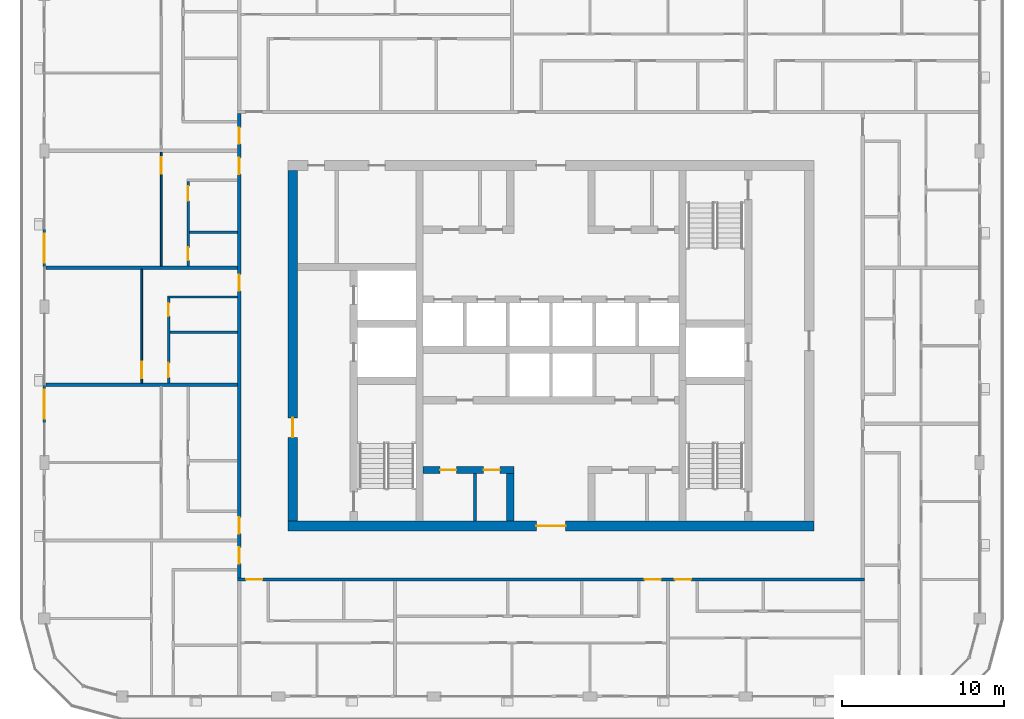
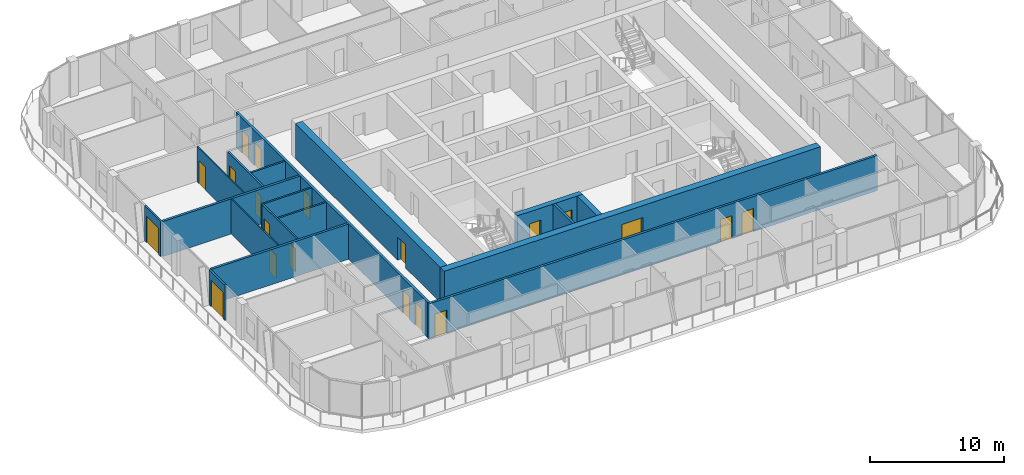
# One storey, part 10 of 22: 20 doors, 18 walls, 20 openings.
"""IFC4 building model written with IfcOpenShell, lengths in metres."""

from ifc_helpers import new_model, si_unit, direction, frame, frame_2d, origin, place, context, subcontext, project, spatial, rectangle, extrude, material, layer, layer_set, type_object, element, fill, save


model = new_model("IFC4")

# Units and contexts
model_context = context("Model", 3, precision=1e-05, world=origin(), true_north=direction((0.0, 1.0)))
body_context = subcontext(model_context, "Body", "Model", "MODEL_VIEW")
ifc_project = project(units=[si_unit("LENGTHUNIT", "METRE"), si_unit("AREAUNIT", "SQUARE_METRE"), si_unit("VOLUMEUNIT", "CUBIC_METRE"), si_unit("PLANEANGLEUNIT", "RADIAN"), si_unit("MASSUNIT", "GRAM", prefix="KILO")], contexts=[model_context])

# Site, building, storey
site_placement = place(None, origin())
site = spatial("IfcSite", under=ifc_project, at=site_placement, CompositionType="ELEMENT")
building_placement = place(site_placement, origin())
building = spatial("IfcBuilding", under=site, at=building_placement, Name="Madar Terraces", CompositionType="ELEMENT")
storey_placement = place(building_placement, frame((0.0, 0.0, 249.199951171875)))
storey = spatial("IfcBuildingStorey", under=building, at=storey_placement, Name="L65", CompositionType="ELEMENT", Elevation=249.199951171875)

# Wall, openings, doors
ifc_material_1 = material(Name="Concrete C55/67", Category="concrete")
ifc_layer_1 = layer(ifc_material_1, 0.449951171875)
ifc_layer_set_1 = layer_set([ifc_layer_1], Name="Concrete C55/67 (CIW5 RC wall 450)")
wall_type_1 = type_object("IfcWallType", Name="CIW5 RC wall 450", PredefinedType="SHEAR", material=ifc_layer_set_1)
wall_1_placement = place(storey_placement, frame((23.324951171875, 18.75, 0.0), z_axis=(0.0, 0.0, 1.0), x_axis=(1.0, 0.0, 0.0)))
wall_1 = element("IfcWall", 1, at=wall_1_placement, inside=storey, type_object=wall_type_1, Name="CORE SHAFT WALL", PredefinedType="SHEAR", context=body_context, shape_type="SweptSolid", body=[
    extrude(rectangle(XDim=5.60009765625, YDim=0.449951171875, at=frame_2d((2.800048828125, 0.0))), origin(), (0.0, 0.0, 1.0), 3.199951171875),
])
opening_1_placement = place(wall_1_placement, frame((1.04638671875, 0.0, 0.0)))
opening_1 = element("IfcOpeningElement", 2, at=opening_1_placement, cuts=wall_1, Name="Opening KD2", PredefinedType="OPENING", context=body_context, shape_type="SweptSolid", body=[
    extrude(rectangle(XDim=1.0, YDim=2.10009765625, at=frame_2d((0.5, 1.050048828125))), frame((0.0, 0.23486328125, 0.0), z_axis=(0.0, -1.0, 0.0), x_axis=(1.0, 0.0, 0.0)), (0.0, 0.0, 1.0), 0.469970703125),
])
opening_2_placement = place(wall_1_placement, frame((3.721435546875, 0.0, 0.0)))
opening_2 = element("IfcOpeningElement", 3, at=opening_2_placement, cuts=wall_1, Name="Opening KD2", PredefinedType="OPENING", context=body_context, shape_type="SweptSolid", body=[
    extrude(rectangle(XDim=1.0, YDim=2.10009765625, at=frame_2d((0.5, 1.050048828125))), frame((0.0, 0.23486328125, 0.0), z_axis=(0.0, -1.0, 0.0), x_axis=(1.0, 0.0, 0.0)), (0.0, 0.0, 1.0), 0.469970703125),
])
ifc_material_2 = material(Name="Steel door leaf", Category="steel")
door_type_1 = type_object("IfcDoorType", Name="Service room door 1000 x 2100", OperationType="NOTDEFINED", PredefinedType="DOOR", material=ifc_material_2)
door_1_placement = place(opening_1_placement, origin())
door_1 = element("IfcDoor", 4, at=door_1_placement, inside=storey, type_object=door_type_1, Name="SERVICE ROOM DOOR", OperationType="SINGLE_SWING_LEFT", OverallHeight=2.10009765625, OverallWidth=1.0, PredefinedType="DOOR", context=body_context, shape_type="SweptSolid", body=[
    extrude(rectangle(XDim=1.0, YDim=2.10009765625, at=frame_2d((0.5, 1.050048828125))), frame((0.0, 0.02490234375, 0.0), z_axis=(0.0, -1.0, 0.0), x_axis=(1.0, 0.0, 0.0)), (0.0, 0.0, 1.0), 0.050048828125),
])
fill(opening_1, door_1)
door_2_placement = place(opening_2_placement, origin())
door_2 = element("IfcDoor", 5, at=door_2_placement, inside=storey, type_object=door_type_1, Name="SERVICE ROOM DOOR", OperationType="SINGLE_SWING_RIGHT", OverallHeight=2.10009765625, OverallWidth=1.0, PredefinedType="DOOR", context=body_context, shape_type="SweptSolid", body=[
    extrude(rectangle(XDim=1.0, YDim=2.10009765625, at=frame_2d((0.5, 1.050048828125))), frame((0.0, 0.02490234375, 0.0), z_axis=(0.0, -1.0, 0.0), x_axis=(1.0, 0.0, 0.0)), (0.0, 0.0, 1.0), 0.050048828125),
])
fill(opening_2, door_2)

# Wall
wall_2_placement = place(storey_placement, frame((28.699951171875, 15.60009765625, 0.0), z_axis=(0.0, 0.0, 1.0), x_axis=(0.0, 1.0, 0.0)))
element("IfcWall", 6, at=wall_2_placement, inside=storey, type_object=wall_type_1, Name="CORE SHAFT WALL", PredefinedType="SHEAR", context=body_context, shape_type="SweptSolid", body=[
    extrude(rectangle(XDim=2.9248046875, YDim=0.449951171875, at=frame_2d((1.46240234375, 0.0))), origin(), (0.0, 0.0, 1.0), 3.199951171875),
])

# Wall, opening, door
ifc_material_3 = material(Name="Concrete C55/67", Category="concrete")
ifc_layer_2 = layer(ifc_material_3, 0.60009765625)
ifc_layer_set_2 = layer_set([ifc_layer_2], Name="Concrete C55/67 (CRW5 RC wall 600)")
wall_type_2 = type_object("IfcWallType", Name="CRW5 RC wall 600", PredefinedType="SHEAR", material=ifc_layer_set_2)
wall_3_placement = place(storey_placement, frame((15.0, 15.300048828125, 0.0), z_axis=(0.0, 0.0, 1.0), x_axis=(1.0, 0.0, 0.0)))
wall_3 = element("IfcWall", 7, at=wall_3_placement, inside=storey, type_object=wall_type_2, Name="CORE OUTER WALL", PredefinedType="SHEAR", context=body_context, shape_type="SweptSolid", body=[
    extrude(rectangle(XDim=32.39990234375, YDim=0.60009765625, at=frame_2d((16.199951171875, 0.0))), origin(), (0.0, 0.0, 1.0), 3.199951171875),
])
opening_3_placement = place(wall_3_placement, frame((15.300048828125, 0.0, 0.0)))
opening_3 = element("IfcOpeningElement", 8, at=opening_3_placement, cuts=wall_3, Name="Opening KD1", PredefinedType="OPENING", context=body_context, shape_type="SweptSolid", body=[
    extrude(rectangle(XDim=1.800048828125, YDim=2.10009765625, at=frame_2d((0.89990234375, 1.050048828125))), frame((0.0, 0.31005859375, 0.0), z_axis=(0.0, -1.0, 0.0), x_axis=(1.0, 0.0, 0.0)), (0.0, 0.0, 1.0), 0.6201171875),
])
ifc_material_4 = material(Name="Steel door leaf", Category="steel")
door_type_2 = type_object("IfcDoorType", Name="Lobby door pair 1800 x 2100", OperationType="DOUBLE_DOOR_SINGLE_SWING", PredefinedType="DOOR", material=ifc_material_4)
door_3_placement = place(opening_3_placement, frame((1.800048828125, 0.0, 0.0), z_axis=(0.0, 0.0, 1.0), x_axis=(-1.0, 0.0, 0.0)))
door_3 = element("IfcDoor", 9, at=door_3_placement, inside=storey, type_object=door_type_2, Name="LIFT LOBBY DOOR", OperationType="DOUBLE_DOOR_SINGLE_SWING", OverallHeight=2.10009765625, OverallWidth=1.800048828125, PredefinedType="DOOR", context=body_context, shape_type="SweptSolid", body=[
    extrude(rectangle(XDim=1.800048828125, YDim=2.10009765625, at=frame_2d((0.89990234375, 1.050048828125))), frame((0.0, 0.02490234375, 0.0), z_axis=(0.0, -1.0, 0.0), x_axis=(1.0, 0.0, 0.0)), (0.0, 0.0, 1.0), 0.050048828125),
])
fill(opening_3, door_3)

wall_4_placement = place(storey_placement, frame((15.300048828125, 15.60009765625, 0.0), z_axis=(0.0, 0.0, 1.0), x_axis=(0.0, 1.0, 0.0)))
wall_4 = element("IfcWall", 10, at=wall_4_placement, inside=storey, type_object=wall_type_2, Name="CORE OUTER WALL", PredefinedType="SHEAR", context=body_context, shape_type="SweptSolid", body=[
    extrude(rectangle(XDim=21.599853515625, YDim=0.60009765625, at=frame_2d((10.7998046875, 0.0))), origin(), (0.0, 0.0, 1.0), 3.199951171875),
])
opening_4_placement = place(wall_4_placement, frame((5.159912109375, 0.0, 0.0)))
opening_4 = element("IfcOpeningElement", 11, at=opening_4_placement, cuts=wall_4, Name="Opening SD1", PredefinedType="OPENING", context=body_context, shape_type="SweptSolid", body=[
    extrude(rectangle(XDim=1.199951171875, YDim=2.10009765625, at=frame_2d((0.60009765625, 1.050048828125))), frame((0.0, 0.31005859375, 0.0), z_axis=(0.0, -1.0, 0.0), x_axis=(1.0, 0.0, 0.0)), (0.0, 0.0, 1.0), 0.6201171875),
])
ifc_material_5 = material(Name="Steel door leaf", Category="steel")
door_type_3 = type_object("IfcDoorType", Name="Stair door 1200 x 2100", OperationType="NOTDEFINED", PredefinedType="DOOR", material=ifc_material_5)
door_4_placement = place(opening_4_placement, frame((1.199951171875, 0.0, 0.0), z_axis=(0.0, 0.0, 1.0), x_axis=(-1.0, 0.0, 0.0)))
door_4 = element("IfcDoor", 12, at=door_4_placement, inside=storey, type_object=door_type_3, Name="STAIR DOOR", OperationType="SINGLE_SWING_RIGHT", OverallHeight=2.10009765625, OverallWidth=1.199951171875, PredefinedType="DOOR", context=body_context, shape_type="SweptSolid", body=[
    extrude(rectangle(XDim=1.199951171875, YDim=2.10009765625, at=frame_2d((0.60009765625, 1.050048828125))), frame((0.0, 0.02490234375, 0.0), z_axis=(0.0, -1.0, 0.0), x_axis=(1.0, 0.0, 0.0)), (0.0, 0.0, 1.0), 0.050048828125),
])
fill(opening_4, door_4)

# Wall
ifc_material_6 = material(Name="Masonry blockwork", Category="masonry")
ifc_layer_3 = layer(ifc_material_6, 0.199951171875)
ifc_layer_set_3 = layer_set([ifc_layer_3], Name="Core partition 200 blockwork")
wall_type_3 = type_object("IfcWallType", Name="Core partition 200 blockwork", PredefinedType="PARTITIONING", material=ifc_layer_set_3)
wall_5_placement = place(storey_placement, frame((26.51806640625, 15.60009765625, 0.0), z_axis=(0.0, 0.0, 1.0), x_axis=(0.0, 1.0, 0.0)))
element("IfcWall", 13, at=wall_5_placement, inside=storey, type_object=wall_type_3, Name="SERVICE ROOM PARTITION", PredefinedType="PARTITIONING", context=body_context, shape_type="SweptSolid", body=[
    extrude(rectangle(XDim=2.9248046875, YDim=0.199951171875, at=frame_2d((1.46240234375, 0.0))), origin(), (0.0, 0.0, 1.0), 3.199951171875),
])

# Wall, opening, door
ifc_material_7 = material(Name="Aluminium composite panel, black, over insulated backing", Category="aluminium")
ifc_layer_4 = layer(ifc_material_7, 0.14990234375)
ifc_layer_set_4 = layer_set([ifc_layer_4], Name="Facade bay panel 150")
wall_type_4 = type_object("IfcWallType", Name="Facade bay panel 150", PredefinedType="SOLIDWALL", material=ifc_layer_set_4)
wall_6_placement = place(storey_placement, frame((0.0, 33.60009765625, 0.0), z_axis=(0.0, 0.0, 1.0), x_axis=(0.0, -1.0, 0.0)))
wall_6 = element("IfcWall", 14, at=wall_6_placement, inside=storey, type_object=wall_type_4, Name="Facade bay panel", PredefinedType="SOLIDWALL", context=body_context, shape_type="SweptSolid", body=[
    extrude(rectangle(XDim=2.400146484375, YDim=0.14990234375, at=frame_2d((1.2001953125, 0.0))), origin(), (0.0, 0.0, 1.0), 3.199951171875),
])
opening_5_placement = place(wall_6_placement, frame((0.300048828125, 0.0, 0.0)))
opening_5 = element("IfcOpeningElement", 15, at=opening_5_placement, cuts=wall_6, Name="Opening ED1", PredefinedType="OPENING", context=body_context, shape_type="SweptSolid", body=[
    extrude(rectangle(XDim=1.800048828125, YDim=2.39990234375, at=frame_2d((0.89990234375, 1.199951171875))), frame((0.0, 0.0849609375, 0.0), z_axis=(0.0, -1.0, 0.0), x_axis=(1.0, 0.0, 0.0)), (0.0, 0.0, 1.0), 0.169921875),
])
ifc_material_8 = material(Name="Glass, clear, with black aluminium frame", Category="aluminium")
door_type_4 = type_object("IfcDoorType", Name="Balcony and terrace sliding door 1800 x 2400", OperationType="SLIDING_TO_LEFT", PredefinedType="DOOR", material=ifc_material_8)
door_5_placement = place(opening_5_placement, origin())
door_5 = element("IfcDoor", 16, at=door_5_placement, inside=storey, type_object=door_type_4, Name="Balcony door", OperationType="SLIDING_TO_RIGHT", OverallHeight=2.39990234375, OverallWidth=1.800048828125, PredefinedType="DOOR", context=body_context, shape_type="SweptSolid", body=[
    extrude(rectangle(XDim=1.800048828125, YDim=2.39990234375, at=frame_2d((0.89990234375, 1.199951171875))), frame((0.0, 0.02490234375, 0.0), z_axis=(0.0, -1.0, 0.0), x_axis=(1.0, 0.0, 0.0)), (0.0, 0.0, 1.0), 0.050048828125),
])
fill(opening_5, door_5)

wall_7_placement = place(storey_placement, frame((0.0, 24.0, 0.0), z_axis=(0.0, 0.0, 1.0), x_axis=(0.0, -1.0, 0.0)))
wall_7 = element("IfcWall", 17, at=wall_7_placement, inside=storey, type_object=wall_type_4, Name="Facade bay panel", PredefinedType="SOLIDWALL", context=body_context, shape_type="SweptSolid", body=[
    extrude(rectangle(XDim=2.39990234375, YDim=0.14990234375, at=frame_2d((1.199951171875, 0.0))), origin(), (0.0, 0.0, 1.0), 3.199951171875),
])
opening_6_placement = place(wall_7_placement, frame((0.300048828125, 0.0, 0.0)))
opening_6 = element("IfcOpeningElement", 18, at=opening_6_placement, cuts=wall_7, Name="Opening ED1", PredefinedType="OPENING", context=body_context, shape_type="SweptSolid", body=[
    extrude(rectangle(XDim=1.800048828125, YDim=2.39990234375, at=frame_2d((0.89990234375, 1.199951171875))), frame((0.0, 0.0849609375, 0.0), z_axis=(0.0, -1.0, 0.0), x_axis=(1.0, 0.0, 0.0)), (0.0, 0.0, 1.0), 0.169921875),
])
door_6_placement = place(opening_6_placement, origin())
door_6 = element("IfcDoor", 19, at=door_6_placement, inside=storey, type_object=door_type_4, Name="Balcony door", OperationType="SLIDING_TO_LEFT", OverallHeight=2.39990234375, OverallWidth=1.800048828125, PredefinedType="DOOR", context=body_context, shape_type="SweptSolid", body=[
    extrude(rectangle(XDim=1.800048828125, YDim=2.39990234375, at=frame_2d((0.89990234375, 1.199951171875))), frame((0.0, 0.02490234375, 0.0), z_axis=(0.0, -1.0, 0.0), x_axis=(1.0, 0.0, 0.0)), (0.0, 0.0, 1.0), 0.050048828125),
])
fill(opening_6, door_6)

ifc_material_9 = material(Name="Gypsum board on steel studs", Category="steel")
ifc_layer_5 = layer(ifc_material_9, 0.10009765625)
ifc_layer_set_5 = layer_set([ifc_layer_5], Name="Flat partition 100")
wall_type_5 = type_object("IfcWallType", Name="Flat partition 100", PredefinedType="PARTITIONING", material=ifc_layer_set_5)
wall_8_placement = place(storey_placement, frame((7.199951171875, 31.300048828125, 0.0), z_axis=(0.0, 0.0, 1.0), x_axis=(0.0, 1.0, 0.0)))
wall_8 = element("IfcWall", 20, at=wall_8_placement, inside=storey, type_object=wall_type_5, Name="Flat partition 100", PredefinedType="PARTITIONING", context=body_context, shape_type="SweptSolid", body=[
    extrude(rectangle(XDim=7.0, YDim=0.10009765625, at=frame_2d((3.5, 0.0))), origin(), (0.0, 0.0, 1.0), 3.199951171875),
])
opening_7_placement = place(wall_8_placement, frame((5.699951171875, 0.0, 0.0)))
opening_7 = element("IfcOpeningElement", 21, at=opening_7_placement, cuts=wall_8, Name="Opening D3", PredefinedType="OPENING", context=body_context, shape_type="SweptSolid", body=[
    extrude(rectangle(XDim=1.0, YDim=2.10009765625, at=frame_2d((0.5, 1.050048828125))), frame((0.0, 0.06005859375, 0.0), z_axis=(0.0, -1.0, 0.0), x_axis=(1.0, 0.0, 0.0)), (0.0, 0.0, 1.0), 0.1201171875),
])
ifc_material_10 = material(Name="Timber door leaf", Category="wood")
door_type_5 = type_object("IfcDoorType", Name="Flat living room door 1000", OperationType="NOTDEFINED", PredefinedType="DOOR", material=ifc_material_10)
door_7_placement = place(opening_7_placement, origin())
door_7 = element("IfcDoor", 22, at=door_7_placement, inside=storey, type_object=door_type_5, Name="Flat living room door 1000", OperationType="SINGLE_SWING_RIGHT", OverallHeight=2.10009765625, OverallWidth=1.0, PredefinedType="DOOR", context=body_context, shape_type="SweptSolid", body=[
    extrude(rectangle(XDim=1.0, YDim=2.10009765625, at=frame_2d((0.5, 1.050048828125))), frame((0.0, 0.02490234375, 0.0), z_axis=(0.0, -1.0, 0.0), x_axis=(1.0, 0.0, 0.0)), (0.0, 0.0, 1.0), 0.050048828125),
])
fill(opening_7, door_7)

wall_9_placement = place(storey_placement, frame((6.0, 24.10009765625, 0.0), z_axis=(0.0, 0.0, 1.0), x_axis=(0.0, 1.0, 0.0)))
wall_9 = element("IfcWall", 23, at=wall_9_placement, inside=storey, type_object=wall_type_5, Name="Flat partition 100", PredefinedType="PARTITIONING", context=body_context, shape_type="SweptSolid", body=[
    extrude(rectangle(XDim=7.0, YDim=0.10009765625, at=frame_2d((3.5, 0.0))), origin(), (0.0, 0.0, 1.0), 3.199951171875),
])
opening_8_placement = place(wall_9_placement, frame((0.300048828125, 0.0, 0.0)))
opening_8 = element("IfcOpeningElement", 24, at=opening_8_placement, cuts=wall_9, Name="Opening D3", PredefinedType="OPENING", context=body_context, shape_type="SweptSolid", body=[
    extrude(rectangle(XDim=1.0, YDim=2.10009765625, at=frame_2d((0.5, 1.050048828125))), frame((0.0, 0.06005859375, 0.0), z_axis=(0.0, -1.0, 0.0), x_axis=(1.0, 0.0, 0.0)), (0.0, 0.0, 1.0), 0.1201171875),
])
door_8_placement = place(opening_8_placement, origin())
door_8 = element("IfcDoor", 25, at=door_8_placement, inside=storey, type_object=door_type_5, Name="Flat living room door 1000", OperationType="SINGLE_SWING_LEFT", OverallHeight=2.10009765625, OverallWidth=1.0, PredefinedType="DOOR", context=body_context, shape_type="SweptSolid", body=[
    extrude(rectangle(XDim=1.0, YDim=2.10009765625, at=frame_2d((0.5, 1.050048828125))), frame((0.0, 0.02490234375, 0.0), z_axis=(0.0, -1.0, 0.0), x_axis=(1.0, 0.0, 0.0)), (0.0, 0.0, 1.0), 0.050048828125),
])
fill(opening_8, door_8)

# Wall, openings, doors
ifc_material_11 = material(Name="Lightweight blockwork", Category="masonry")
ifc_layer_6 = layer(ifc_material_11, 0.199951171875)
ifc_layer_set_6 = layer_set([ifc_layer_6], Name="Flat party and entrance wall 200")
wall_type_6 = type_object("IfcWallType", Name="Flat party and entrance wall 200", PredefinedType="PARTITIONING", material=ifc_layer_set_6)
wall_10_placement = place(storey_placement, frame((50.5, 12.0, 0.0), z_axis=(0.0, 0.0, 1.0), x_axis=(-1.0, 0.0, 0.0)))
wall_10 = element("IfcWall", 26, at=wall_10_placement, inside=storey, type_object=wall_type_6, Name="Flat party and entrance wall 200", PredefinedType="PARTITIONING", context=body_context, shape_type="SweptSolid", body=[
    extrude(rectangle(XDim=38.60009765625, YDim=0.199951171875, at=frame_2d((19.300048828125, 0.0))), origin(), (0.0, 0.0, 1.0), 3.199951171875),
])
opening_9_placement = place(wall_10_placement, frame((37.074951171875, 0.0, 0.0)))
opening_9 = element("IfcOpeningElement", 27, at=opening_9_placement, cuts=wall_10, Name="Opening D1", PredefinedType="OPENING", context=body_context, shape_type="SweptSolid", body=[
    extrude(rectangle(XDim=1.0, YDim=2.10009765625, at=frame_2d((0.5, 1.050048828125))), frame((0.0, 0.10986328125, 0.0), z_axis=(0.0, -1.0, 0.0), x_axis=(1.0, 0.0, 0.0)), (0.0, 0.0, 1.0), 0.219970703125),
])
opening_10_placement = place(wall_10_placement, frame((12.52490234375, 0.0, 0.0)))
opening_10 = element("IfcOpeningElement", 28, at=opening_10_placement, cuts=wall_10, Name="Opening D1", PredefinedType="OPENING", context=body_context, shape_type="SweptSolid", body=[
    extrude(rectangle(XDim=1.0, YDim=2.10009765625, at=frame_2d((0.5, 1.050048828125))), frame((0.0, 0.10986328125, 0.0), z_axis=(0.0, -1.0, 0.0), x_axis=(1.0, 0.0, 0.0)), (0.0, 0.0, 1.0), 0.219970703125),
])
opening_11_placement = place(wall_10_placement, frame((10.675048828125, 0.0, 0.0)))
opening_11 = element("IfcOpeningElement", 29, at=opening_11_placement, cuts=wall_10, Name="Opening D1", PredefinedType="OPENING", context=body_context, shape_type="SweptSolid", body=[
    extrude(rectangle(XDim=1.0, YDim=2.10009765625, at=frame_2d((0.5, 1.050048828125))), frame((0.0, 0.10986328125, 0.0), z_axis=(0.0, -1.0, 0.0), x_axis=(1.0, 0.0, 0.0)), (0.0, 0.0, 1.0), 0.219970703125),
])
ifc_material_12 = material(Name="Timber fire door leaf", Category="wood")
door_type_6 = type_object("IfcDoorType", Name="Flat entrance door 1000 FD30S", OperationType="NOTDEFINED", PredefinedType="DOOR", material=ifc_material_12)
door_9_placement = place(opening_9_placement, origin())
door_9 = element("IfcDoor", 30, at=door_9_placement, inside=storey, type_object=door_type_6, Name="Flat entrance door 1000 FD30S", OperationType="SINGLE_SWING_RIGHT", OverallHeight=2.10009765625, OverallWidth=1.0, PredefinedType="DOOR", context=body_context, shape_type="SweptSolid", body=[
    extrude(rectangle(XDim=1.0, YDim=2.10009765625, at=frame_2d((0.5, 1.050048828125))), frame((0.0, 0.02490234375, 0.0), z_axis=(0.0, -1.0, 0.0), x_axis=(1.0, 0.0, 0.0)), (0.0, 0.0, 1.0), 0.050048828125),
])
fill(opening_9, door_9)
door_10_placement = place(opening_10_placement, origin())
door_10 = element("IfcDoor", 31, at=door_10_placement, inside=storey, type_object=door_type_6, Name="Flat entrance door 1000 FD30S", OperationType="SINGLE_SWING_LEFT", OverallHeight=2.10009765625, OverallWidth=1.0, PredefinedType="DOOR", context=body_context, shape_type="SweptSolid", body=[
    extrude(rectangle(XDim=1.0, YDim=2.10009765625, at=frame_2d((0.5, 1.050048828125))), frame((0.0, 0.02490234375, 0.0), z_axis=(0.0, -1.0, 0.0), x_axis=(1.0, 0.0, 0.0)), (0.0, 0.0, 1.0), 0.050048828125),
])
fill(opening_10, door_10)
door_11_placement = place(opening_11_placement, origin())
door_11 = element("IfcDoor", 32, at=door_11_placement, inside=storey, type_object=door_type_6, Name="Flat entrance door 1000 FD30S", OperationType="SINGLE_SWING_RIGHT", OverallHeight=2.10009765625, OverallWidth=1.0, PredefinedType="DOOR", context=body_context, shape_type="SweptSolid", body=[
    extrude(rectangle(XDim=1.0, YDim=2.10009765625, at=frame_2d((0.5, 1.050048828125))), frame((0.0, 0.02490234375, 0.0), z_axis=(0.0, -1.0, 0.0), x_axis=(1.0, 0.0, 0.0)), (0.0, 0.0, 1.0), 0.050048828125),
])
fill(opening_11, door_11)

wall_11_placement = place(storey_placement, frame((12.0, 12.10009765625, 0.0), z_axis=(0.0, 0.0, 1.0), x_axis=(0.0, 1.0, 0.0)))
wall_11 = element("IfcWall", 33, at=wall_11_placement, inside=storey, type_object=wall_type_6, Name="Flat party and entrance wall 200", PredefinedType="PARTITIONING", context=body_context, shape_type="SweptSolid", body=[
    extrude(rectangle(XDim=28.599853515625, YDim=0.199951171875, at=frame_2d((14.2998046875, 0.0))), origin(), (0.0, 0.0, 1.0), 3.199951171875),
])
opening_12_placement = place(wall_11_placement, frame((26.72509765625, 0.0, 0.0)))
opening_12 = element("IfcOpeningElement", 34, at=opening_12_placement, cuts=wall_11, Name="Opening D1", PredefinedType="OPENING", context=body_context, shape_type="SweptSolid", body=[
    extrude(rectangle(XDim=1.0, YDim=2.10009765625, at=frame_2d((0.5, 1.050048828125))), frame((0.0, 0.10986328125, 0.0), z_axis=(0.0, -1.0, 0.0), x_axis=(1.0, 0.0, 0.0)), (0.0, 0.0, 1.0), 0.219970703125),
])
opening_13_placement = place(wall_11_placement, frame((24.875, 0.0, 0.0)))
opening_13 = element("IfcOpeningElement", 35, at=opening_13_placement, cuts=wall_11, Name="Opening D1", PredefinedType="OPENING", context=body_context, shape_type="SweptSolid", body=[
    extrude(rectangle(XDim=1.0, YDim=2.10009765625, at=frame_2d((0.5, 1.050048828125))), frame((0.0, 0.10986328125, 0.0), z_axis=(0.0, -1.0, 0.0), x_axis=(1.0, 0.0, 0.0)), (0.0, 0.0, 1.0), 0.219970703125),
])
opening_14_placement = place(wall_11_placement, frame((17.675048828125, 0.0, 0.0)))
opening_14 = element("IfcOpeningElement", 36, at=opening_14_placement, cuts=wall_11, Name="Opening D1", PredefinedType="OPENING", context=body_context, shape_type="SweptSolid", body=[
    extrude(rectangle(XDim=1.0, YDim=2.10009765625, at=frame_2d((0.5, 1.050048828125))), frame((0.0, 0.10986328125, 0.0), z_axis=(0.0, -1.0, 0.0), x_axis=(1.0, 0.0, 0.0)), (0.0, 0.0, 1.0), 0.219970703125),
])
opening_15_placement = place(wall_11_placement, frame((2.72509765625, 0.0, 0.0)))
opening_15 = element("IfcOpeningElement", 37, at=opening_15_placement, cuts=wall_11, Name="Opening D1", PredefinedType="OPENING", context=body_context, shape_type="SweptSolid", body=[
    extrude(rectangle(XDim=1.0, YDim=2.10009765625, at=frame_2d((0.5, 1.050048828125))), frame((0.0, 0.10986328125, 0.0), z_axis=(0.0, -1.0, 0.0), x_axis=(1.0, 0.0, 0.0)), (0.0, 0.0, 1.0), 0.219970703125),
])
opening_16_placement = place(wall_11_placement, frame((0.875, 0.0, 0.0)))
opening_16 = element("IfcOpeningElement", 38, at=opening_16_placement, cuts=wall_11, Name="Opening D1", PredefinedType="OPENING", context=body_context, shape_type="SweptSolid", body=[
    extrude(rectangle(XDim=1.0, YDim=2.10009765625, at=frame_2d((0.5, 1.050048828125))), frame((0.0, 0.10986328125, 0.0), z_axis=(0.0, -1.0, 0.0), x_axis=(1.0, 0.0, 0.0)), (0.0, 0.0, 1.0), 0.219970703125),
])
door_12_placement = place(opening_12_placement, origin())
door_12 = element("IfcDoor", 39, at=door_12_placement, inside=storey, type_object=door_type_6, Name="Flat entrance door 1000 FD30S", OperationType="SINGLE_SWING_LEFT", OverallHeight=2.10009765625, OverallWidth=1.0, PredefinedType="DOOR", context=body_context, shape_type="SweptSolid", body=[
    extrude(rectangle(XDim=1.0, YDim=2.10009765625, at=frame_2d((0.5, 1.050048828125))), frame((0.0, 0.02490234375, 0.0), z_axis=(0.0, -1.0, 0.0), x_axis=(1.0, 0.0, 0.0)), (0.0, 0.0, 1.0), 0.050048828125),
])
fill(opening_12, door_12)
door_13_placement = place(opening_13_placement, origin())
door_13 = element("IfcDoor", 40, at=door_13_placement, inside=storey, type_object=door_type_6, Name="Flat entrance door 1000 FD30S", OperationType="SINGLE_SWING_RIGHT", OverallHeight=2.10009765625, OverallWidth=1.0, PredefinedType="DOOR", context=body_context, shape_type="SweptSolid", body=[
    extrude(rectangle(XDim=1.0, YDim=2.10009765625, at=frame_2d((0.5, 1.050048828125))), frame((0.0, 0.02490234375, 0.0), z_axis=(0.0, -1.0, 0.0), x_axis=(1.0, 0.0, 0.0)), (0.0, 0.0, 1.0), 0.050048828125),
])
fill(opening_13, door_13)
door_14_placement = place(opening_14_placement, origin())
door_14 = element("IfcDoor", 41, at=door_14_placement, inside=storey, type_object=door_type_6, Name="Flat entrance door 1000 FD30S", OperationType="SINGLE_SWING_RIGHT", OverallHeight=2.10009765625, OverallWidth=1.0, PredefinedType="DOOR", context=body_context, shape_type="SweptSolid", body=[
    extrude(rectangle(XDim=1.0, YDim=2.10009765625, at=frame_2d((0.5, 1.050048828125))), frame((0.0, 0.02490234375, 0.0), z_axis=(0.0, -1.0, 0.0), x_axis=(1.0, 0.0, 0.0)), (0.0, 0.0, 1.0), 0.050048828125),
])
fill(opening_14, door_14)
door_15_placement = place(opening_15_placement, origin())
door_15 = element("IfcDoor", 42, at=door_15_placement, inside=storey, type_object=door_type_6, Name="Flat entrance door 1000 FD30S", OperationType="SINGLE_SWING_LEFT", OverallHeight=2.10009765625, OverallWidth=1.0, PredefinedType="DOOR", context=body_context, shape_type="SweptSolid", body=[
    extrude(rectangle(XDim=1.0, YDim=2.10009765625, at=frame_2d((0.5, 1.050048828125))), frame((0.0, 0.02490234375, 0.0), z_axis=(0.0, -1.0, 0.0), x_axis=(1.0, 0.0, 0.0)), (0.0, 0.0, 1.0), 0.050048828125),
])
fill(opening_15, door_15)
door_16_placement = place(opening_16_placement, origin())
door_16 = element("IfcDoor", 43, at=door_16_placement, inside=storey, type_object=door_type_6, Name="Flat entrance door 1000 FD30S", OperationType="SINGLE_SWING_RIGHT", OverallHeight=2.10009765625, OverallWidth=1.0, PredefinedType="DOOR", context=body_context, shape_type="SweptSolid", body=[
    extrude(rectangle(XDim=1.0, YDim=2.10009765625, at=frame_2d((0.5, 1.050048828125))), frame((0.0, 0.02490234375, 0.0), z_axis=(0.0, -1.0, 0.0), x_axis=(1.0, 0.0, 0.0)), (0.0, 0.0, 1.0), 0.050048828125),
])
fill(opening_16, door_16)

# Walls
for number, where, z_axis, x_axis, name in (
    (44, (0.10009765625, 31.199951171875, 0.0), (0.0, 0.0, 1.0), (1.0, 0.0, 0.0), "Flat party and entrance wall 200"),
    (45, (0.10009765625, 24.0, 0.0), (0.0, 0.0, 1.0), (1.0, 0.0, 0.0), "Flat party and entrance wall 200"),
):
    element("IfcWall", number, at=place(storey_placement, frame(where, z_axis=z_axis, x_axis=x_axis)), inside=storey, type_object=wall_type_6, Name=name, PredefinedType="PARTITIONING", context=body_context, shape_type="SweptSolid", body=[
        extrude(rectangle(XDim=11.7998046875, YDim=0.199951171875, at=frame_2d((5.89990234375, 0.0))), origin(), (0.0, 0.0, 1.0), 3.199951171875),
    ])
ifc_material_13 = material(Name="Lightweight blockwork", Category="masonry")
ifc_layer_7 = layer(ifc_material_13, 0.14990234375)
ifc_layer_set_7 = layer_set([ifc_layer_7], Name="Flat wet-room partition 150")
wall_type_7 = type_object("IfcWallType", Name="Flat wet-room partition 150", PredefinedType="PARTITIONING", material=ifc_layer_set_7)
wall_12_placement = place(storey_placement, frame((11.89990234375, 33.389892578125, 0.0), z_axis=(0.0, 0.0, 1.0), x_axis=(-1.0, 0.0, 0.0)))
element("IfcWall", 46, at=wall_12_placement, inside=storey, type_object=wall_type_7, Name="Flat wet-room partition 150", PredefinedType="PARTITIONING", context=body_context, shape_type="SweptSolid", body=[
    extrude(rectangle(XDim=2.974853515625, YDim=0.14990234375, at=frame_2d((1.4873046875, 0.0))), origin(), (0.0, 0.0, 1.0), 3.199951171875),
])

# Wall, openings, doors
wall_13_placement = place(storey_placement, frame((8.85009765625, 36.52490234375, 0.0), z_axis=(0.0, 0.0, 1.0), x_axis=(0.0, -1.0, 0.0)))
wall_13 = element("IfcWall", 47, at=wall_13_placement, inside=storey, type_object=wall_type_7, Name="Flat wet-room partition 150", PredefinedType="PARTITIONING", context=body_context, shape_type="SweptSolid", body=[
    extrude(rectangle(XDim=5.224853515625, YDim=0.14990234375, at=frame_2d((2.6123046875, 0.0))), origin(), (0.0, 0.0, 1.0), 3.199951171875),
])
opening_17_placement = place(wall_13_placement, frame((0.300048828125, 0.0, 0.0)))
opening_17 = element("IfcOpeningElement", 48, at=opening_17_placement, cuts=wall_13, Name="Opening D2", PredefinedType="OPENING", context=body_context, shape_type="SweptSolid", body=[
    extrude(rectangle(XDim=0.89990234375, YDim=2.10009765625, at=frame_2d((0.449951171875, 1.050048828125))), frame((0.0, 0.0849609375, 0.0), z_axis=(0.0, -1.0, 0.0), x_axis=(1.0, 0.0, 0.0)), (0.0, 0.0, 1.0), 0.169921875),
])
opening_18_placement = place(wall_13_placement, frame((4.074951171875, 0.0, 0.0)))
opening_18 = element("IfcOpeningElement", 49, at=opening_18_placement, cuts=wall_13, Name="Opening D4", PredefinedType="OPENING", context=body_context, shape_type="SweptSolid", body=[
    extrude(rectangle(XDim=0.800048828125, YDim=2.10009765625, at=frame_2d((0.39990234375, 1.050048828125))), frame((0.0, 0.0849609375, 0.0), z_axis=(0.0, -1.0, 0.0), x_axis=(1.0, 0.0, 0.0)), (0.0, 0.0, 1.0), 0.169921875),
])
ifc_material_14 = material(Name="Timber door leaf", Category="wood")
door_type_7 = type_object("IfcDoorType", Name="Flat bathroom door 800", OperationType="NOTDEFINED", PredefinedType="DOOR", material=ifc_material_14)
door_17_placement = place(opening_18_placement, origin())
door_17 = element("IfcDoor", 50, at=door_17_placement, inside=storey, type_object=door_type_7, Name="Flat bathroom door 800", OperationType="SINGLE_SWING_RIGHT", OverallHeight=2.10009765625, OverallWidth=0.800048828125, PredefinedType="DOOR", context=body_context, shape_type="SweptSolid", body=[
    extrude(rectangle(XDim=0.800048828125, YDim=2.10009765625, at=frame_2d((0.39990234375, 1.050048828125))), frame((0.0, 0.02490234375, 0.0), z_axis=(0.0, -1.0, 0.0), x_axis=(1.0, 0.0, 0.0)), (0.0, 0.0, 1.0), 0.050048828125),
])
fill(opening_18, door_17)
ifc_material_15 = material(Name="Timber door leaf", Category="wood")
door_type_8 = type_object("IfcDoorType", Name="Flat room door 900", OperationType="NOTDEFINED", PredefinedType="DOOR", material=ifc_material_15)
door_18_placement = place(opening_17_placement, origin())
door_18 = element("IfcDoor", 51, at=door_18_placement, inside=storey, type_object=door_type_8, Name="Flat room door 900", OperationType="SINGLE_SWING_LEFT", OverallHeight=2.10009765625, OverallWidth=0.89990234375, PredefinedType="DOOR", context=body_context, shape_type="SweptSolid", body=[
    extrude(rectangle(XDim=0.89990234375, YDim=2.10009765625, at=frame_2d((0.449951171875, 1.050048828125))), frame((0.0, 0.02490234375, 0.0), z_axis=(0.0, -1.0, 0.0), x_axis=(1.0, 0.0, 0.0)), (0.0, 0.0, 1.0), 0.050048828125),
])
fill(opening_17, door_18)

# Walls
wall_14_placement = place(storey_placement, frame((11.89990234375, 27.235107421875, 0.0), z_axis=(0.0, 0.0, 1.0), x_axis=(-1.0, 0.0, 0.0)))
element("IfcWall", 52, at=wall_14_placement, inside=storey, type_object=wall_type_7, Name="Flat wet-room partition 150", PredefinedType="PARTITIONING", context=body_context, shape_type="SweptSolid", body=[
    extrude(rectangle(XDim=4.1748046875, YDim=0.14990234375, at=frame_2d((2.08740234375, 0.0))), origin(), (0.0, 0.0, 1.0), 3.199951171875),
])
wall_15_placement = place(storey_placement, frame((11.89990234375, 29.39990234375, 0.0), z_axis=(0.0, 0.0, 1.0), x_axis=(-1.0, 0.0, 0.0)))
element("IfcWall", 53, at=wall_15_placement, inside=storey, type_object=wall_type_7, Name="Flat wet-room partition 150", PredefinedType="PARTITIONING", context=body_context, shape_type="SweptSolid", body=[
    extrude(rectangle(XDim=4.324951171875, YDim=0.14990234375, at=frame_2d((2.16259765625, 0.0))), origin(), (0.0, 0.0, 1.0), 3.199951171875),
])

# Wall, openings, doors
wall_16_placement = place(storey_placement, frame((7.64990234375, 29.324951171875, 0.0), z_axis=(0.0, 0.0, 1.0), x_axis=(0.0, -1.0, 0.0)))
wall_16 = element("IfcWall", 54, at=wall_16_placement, inside=storey, type_object=wall_type_7, Name="Flat wet-room partition 150", PredefinedType="PARTITIONING", context=body_context, shape_type="SweptSolid", body=[
    extrude(rectangle(XDim=5.224853515625, YDim=0.14990234375, at=frame_2d((2.6123046875, 0.0))), origin(), (0.0, 0.0, 1.0), 3.199951171875),
])
opening_19_placement = place(wall_16_placement, frame((0.300048828125, 0.0, 0.0)))
opening_19 = element("IfcOpeningElement", 55, at=opening_19_placement, cuts=wall_16, Name="Opening D4", PredefinedType="OPENING", context=body_context, shape_type="SweptSolid", body=[
    extrude(rectangle(XDim=0.800048828125, YDim=2.10009765625, at=frame_2d((0.39990234375, 1.050048828125))), frame((0.0, 0.0849609375, 0.0), z_axis=(0.0, -1.0, 0.0), x_axis=(1.0, 0.0, 0.0)), (0.0, 0.0, 1.0), 0.169921875),
])
opening_20_placement = place(wall_16_placement, frame((3.97509765625, 0.0, 0.0)))
opening_20 = element("IfcOpeningElement", 56, at=opening_20_placement, cuts=wall_16, Name="Opening D2", PredefinedType="OPENING", context=body_context, shape_type="SweptSolid", body=[
    extrude(rectangle(XDim=0.89990234375, YDim=2.10009765625, at=frame_2d((0.449951171875, 1.050048828125))), frame((0.0, 0.0849609375, 0.0), z_axis=(0.0, -1.0, 0.0), x_axis=(1.0, 0.0, 0.0)), (0.0, 0.0, 1.0), 0.169921875),
])
door_19_placement = place(opening_19_placement, origin())
door_19 = element("IfcDoor", 57, at=door_19_placement, inside=storey, type_object=door_type_7, Name="Flat bathroom door 800", OperationType="SINGLE_SWING_LEFT", OverallHeight=2.10009765625, OverallWidth=0.800048828125, PredefinedType="DOOR", context=body_context, shape_type="SweptSolid", body=[
    extrude(rectangle(XDim=0.800048828125, YDim=2.10009765625, at=frame_2d((0.39990234375, 1.050048828125))), frame((0.0, 0.02490234375, 0.0), z_axis=(0.0, -1.0, 0.0), x_axis=(1.0, 0.0, 0.0)), (0.0, 0.0, 1.0), 0.050048828125),
])
fill(opening_19, door_19)
door_20_placement = place(opening_20_placement, origin())
door_20 = element("IfcDoor", 58, at=door_20_placement, inside=storey, type_object=door_type_8, Name="Flat room door 900", OperationType="SINGLE_SWING_RIGHT", OverallHeight=2.10009765625, OverallWidth=0.89990234375, PredefinedType="DOOR", context=body_context, shape_type="SweptSolid", body=[
    extrude(rectangle(XDim=0.89990234375, YDim=2.10009765625, at=frame_2d((0.449951171875, 1.050048828125))), frame((0.0, 0.02490234375, 0.0), z_axis=(0.0, -1.0, 0.0), x_axis=(1.0, 0.0, 0.0)), (0.0, 0.0, 1.0), 0.050048828125),
])
fill(opening_20, door_20)

save(model, "model.ifc")
